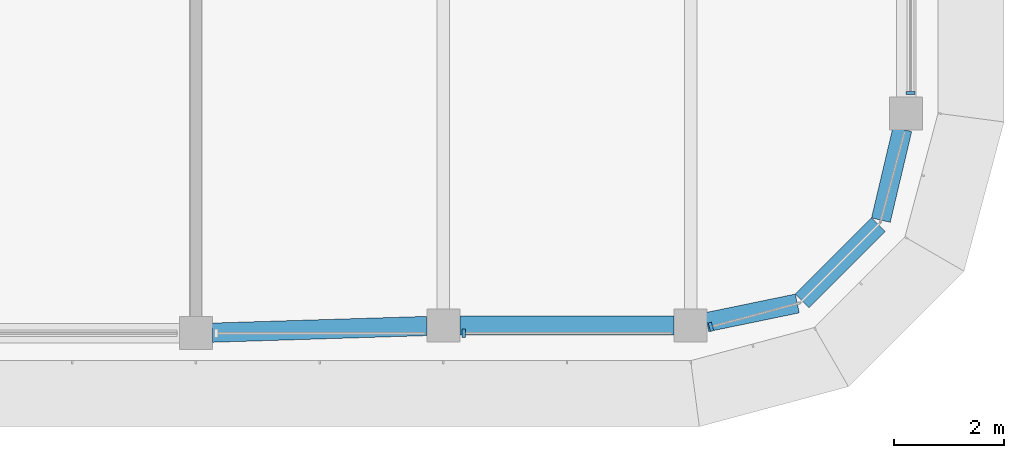
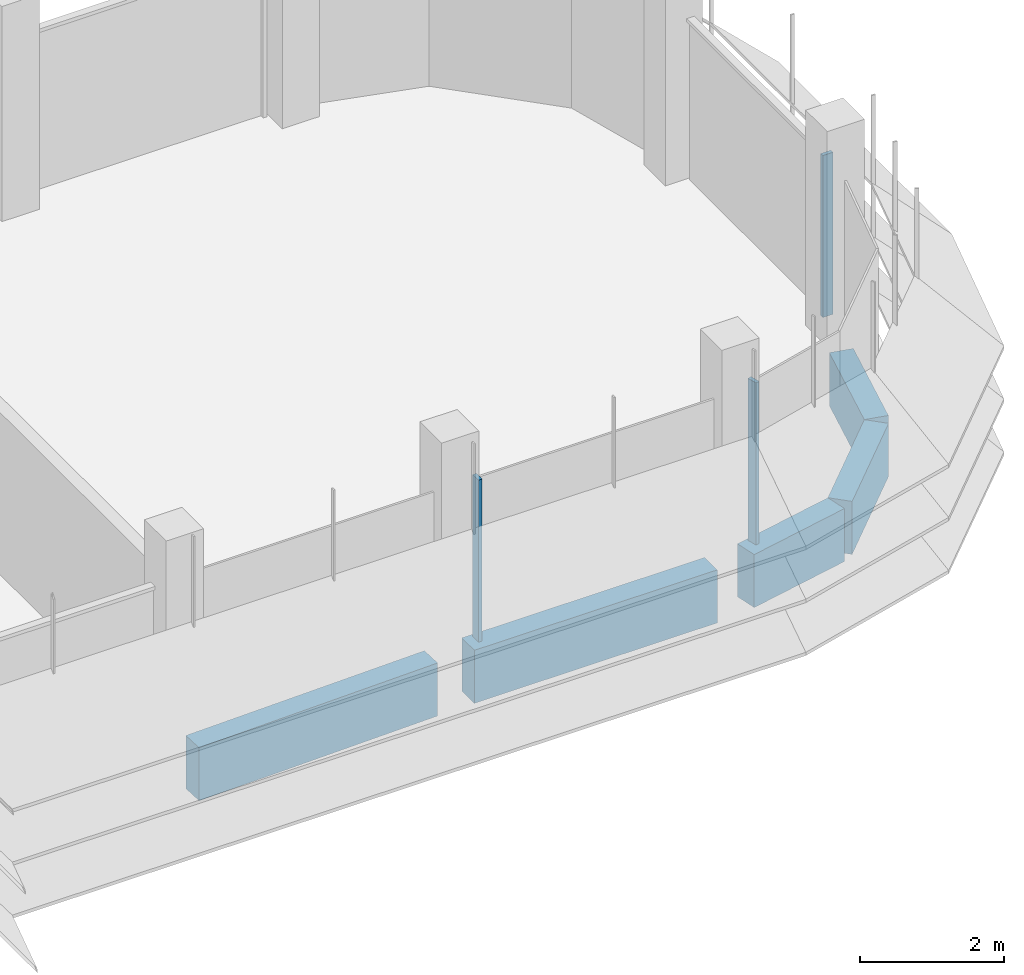
# One storey, part 5 of 19: 5 beams, 3 members, 3 elements without a shape of their own.
"""IFC4 building model written with IfcOpenShell, lengths in metres."""

from ifc_helpers import new_model, si_unit, direction, frame, origin, origin_2d, place, context, subcontext, project, spatial, polyline, rectangle, outline, extrude, source, transform, mapped, material, material_profile, profile_set, type_object, element, aggregate, save


model = new_model("IFC4")

# Units and contexts
model_context = context("Model", 3, precision=1e-05, world=origin(), true_north=direction((0.0, 1.0)))
body_context = subcontext(model_context, "Body", "Model", "MODEL_VIEW")
ifc_project = project(units=[si_unit("LENGTHUNIT", "METRE"), si_unit("AREAUNIT", "SQUARE_METRE"), si_unit("VOLUMEUNIT", "CUBIC_METRE"), si_unit("PLANEANGLEUNIT", "RADIAN"), si_unit("MASSUNIT", "GRAM", prefix="KILO")], contexts=[model_context])

# Site, building, storey
site_placement = place(None, origin())
site = spatial("IfcSite", under=ifc_project, at=site_placement, CompositionType="ELEMENT")
building_placement = place(site_placement, origin())
building = spatial("IfcBuilding", under=site, at=building_placement, Name="Zarbagh Exchange Tower", CompositionType="ELEMENT")
storey_placement = place(building_placement, frame((0.0, 0.0, 253.60009765625)))
storey = spatial("IfcBuildingStorey", under=building, at=storey_placement, Name="L62", CompositionType="ELEMENT", Elevation=253.60009765625)

# Beams
ifc_material_1 = material(Name="Concrete C40/50", Category="concrete")
ifc_material_profile = material_profile(ifc_material_1, rectangle(XDim=0.35009765625, YDim=0.89990234375, at=origin_2d()), Name="RC spandrel beam 350 x 900 C40/50")
ifc_profile_set = profile_set([ifc_material_profile], Name="Concrete C40/50")
beam_type = type_object("IfcBeamType", Name="RC spandrel beam 350 x 900 C40/50", PredefinedType="SPANDREL", material=ifc_profile_set)
beam_1_placement = place(storey_placement, frame((28.600830078125, -2.5419921875, -0.60009765625), z_axis=(-0.230258391117, -0.973129525459, 0.0), x_axis=(0.973129525459, -0.230258391117, 0.0)))
element("IfcBeam", 1, at=beam_1_placement, inside=storey, type_object=beam_type, Name="RC spandrel beam", PredefinedType="SPANDREL", context=body_context, shape_type="SweptSolid", body=[
    extrude(rectangle(XDim=0.35009765625, YDim=0.89990234375, at=origin_2d()), origin(), (0.0, 0.0, 1.0), 1.696533203125),
])
beam_2_placement = place(storey_placement, frame((28.163818359375, -4.2763671875, -0.60009765625), z_axis=(-0.707106781187, -0.707106781187, 0.0), x_axis=(0.707106781187, -0.707106781187, 0.0)))
element("IfcBeam", 2, at=beam_2_placement, inside=storey, type_object=beam_type, Name="RC spandrel beam", PredefinedType="SPANDREL", context=body_context, shape_type="SweptSolid", body=[
    extrude(rectangle(XDim=0.35009765625, YDim=0.89990234375, at=origin_2d()), origin(), (0.0, 0.0, 1.0), 1.95947265625),
])
beam_3_placement = place(storey_placement, frame((26.68994140625, -5.70947265625, -0.60009765625), z_axis=(-0.979349753205, -0.202173343684, 0.0), x_axis=(0.202173343684, -0.979349753205, 0.0)))
element("IfcBeam", 3, at=beam_3_placement, inside=storey, type_object=beam_type, Name="RC spandrel beam", PredefinedType="SPANDREL", context=body_context, shape_type="SweptSolid", body=[
    extrude(rectangle(XDim=0.35009765625, YDim=0.89990234375, at=origin_2d()), origin(), (0.0, 0.0, 1.0), 1.680908203125),
])
beam_4_placement = place(storey_placement, frame((24.449951171875, -6.110107421875, -0.60009765625), z_axis=(-1.0, 0.0, 0.0), x_axis=(0.0, -1.0, 0.0)))
element("IfcBeam", 4, at=beam_4_placement, inside=storey, type_object=beam_type, Name="RC spandrel beam", PredefinedType="SPANDREL", context=body_context, shape_type="SweptSolid", body=[
    extrude(rectangle(XDim=0.35009765625, YDim=0.89990234375, at=origin_2d()), origin(), (0.0, 0.0, 1.0), 3.89990234375),
])
beam_5_placement = place(storey_placement, frame((19.9501953125, -6.119384765625, -0.60009765625), z_axis=(-0.999516460907, -0.031094121249, 0.0), x_axis=(0.031094121249, -0.999516460907, 0.0)))
element("IfcBeam", 5, at=beam_5_placement, inside=storey, type_object=beam_type, Name="RC spandrel beam", PredefinedType="SPANDREL", context=body_context, shape_type="SweptSolid", body=[
    extrude(rectangle(XDim=0.35009765625, YDim=0.89990234375, at=origin_2d()), origin(), (0.0, 0.0, 1.0), 3.90234375),
])

# Curtain wall, member
ifc_material_2 = material(Name="Anodised aluminium frame and glazing", Category="aluminium")
curtain_wall_type = type_object("IfcCurtainWallType", Name="CWB Ribbon glazing, upper zones", PredefinedType="NOTDEFINED", material=ifc_material_2)
curtain_wall_1_placement = place(storey_placement, origin())
curtain_wall_1 = element("IfcCurtainWall", 6, at=curtain_wall_1_placement, inside=storey, type_object=curtain_wall_type, Name="CWB75 curtain wall", PredefinedType="NOTDEFINED")
ifc_material_3 = material(Name="Anodised aluminium frame", Category="aluminium")
member_type = type_object("IfcMemberType", Name="MUB Mullion, anodised aluminium frame", PredefinedType="MULLION", material=ifc_material_3)
shared_shape = source(origin(), body_context, "Body", "SweptSolid", [
    extrude(outline(polyline([(0.0, -0.080078125), (0.06005859375, -0.080078125), (0.06005859375, 0.080078125), (0.0, 0.080078125), (0.0, -0.080078125)])), origin(), (0.0, 0.0, 1.0), 2.75),
])
placement = place(storey_placement, origin())
member_1 = element("IfcMember", 7, at=placement, type_object=member_type, Name="CWB75 mullion 3.1", PredefinedType="MULLION", context=body_context, shape_type="MappedRepresentation", body=[
    mapped(shared_shape, transform((20.590087890625, -6.25, 0.0), x_axis=(1.0, 0.0, 0.0), y_axis=(0.0, 1.0, 0.0), z_axis=(0.0, 0.0, 1.0))),
])
aggregate(curtain_wall_1, [member_1])

curtain_wall_2_placement = place(storey_placement, origin())
curtain_wall_2 = element("IfcCurtainWall", 8, at=curtain_wall_2_placement, inside=storey, type_object=curtain_wall_type, Name="CWB76 curtain wall", PredefinedType="NOTDEFINED")
member_2 = element("IfcMember", 9, at=placement, type_object=member_type, Name="CWB76 mullion 1.1", PredefinedType="MULLION", context=body_context, shape_type="MappedRepresentation", body=[
    mapped(shared_shape, transform((25.08984375, -6.141357421875, 0.0), x_axis=(0.965924289636, 0.258824779902, 0.0), y_axis=(-0.258824779902, 0.965924289636, 0.0), z_axis=(0.0, 0.0, 1.0))),
])
aggregate(curtain_wall_2, [member_2])

curtain_wall_3_placement = place(storey_placement, origin())
curtain_wall_3 = element("IfcCurtainWall", 10, at=curtain_wall_3_placement, inside=storey, type_object=curtain_wall_type, Name="CWB83 curtain wall", PredefinedType="NOTDEFINED")
member_3 = element("IfcMember", 11, at=placement, type_object=member_type, Name="CWB83 mullion 1.1", PredefinedType="MULLION", context=body_context, shape_type="MappedRepresentation", body=[
    mapped(shared_shape, transform((28.75, -1.909912109375, 0.0), x_axis=(0.0, 1.0, 0.0), y_axis=(-1.0, 0.0, 0.0), z_axis=(0.0, 0.0, 1.0))),
])
aggregate(curtain_wall_3, [member_3])

save(model, "model.ifc")
